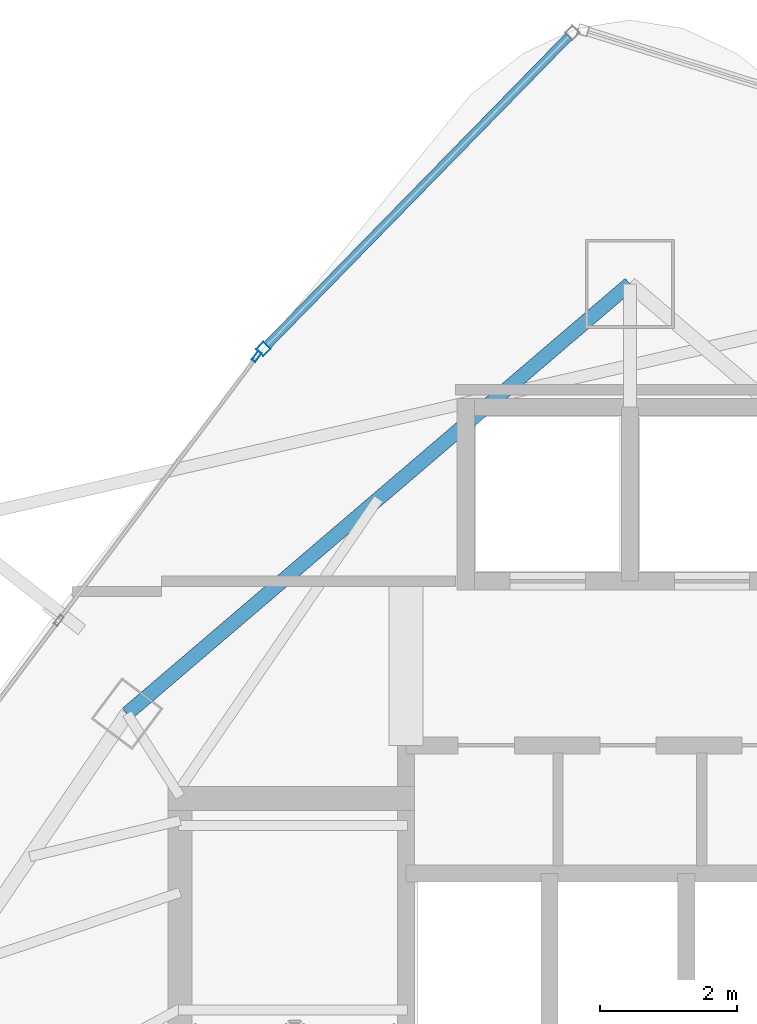
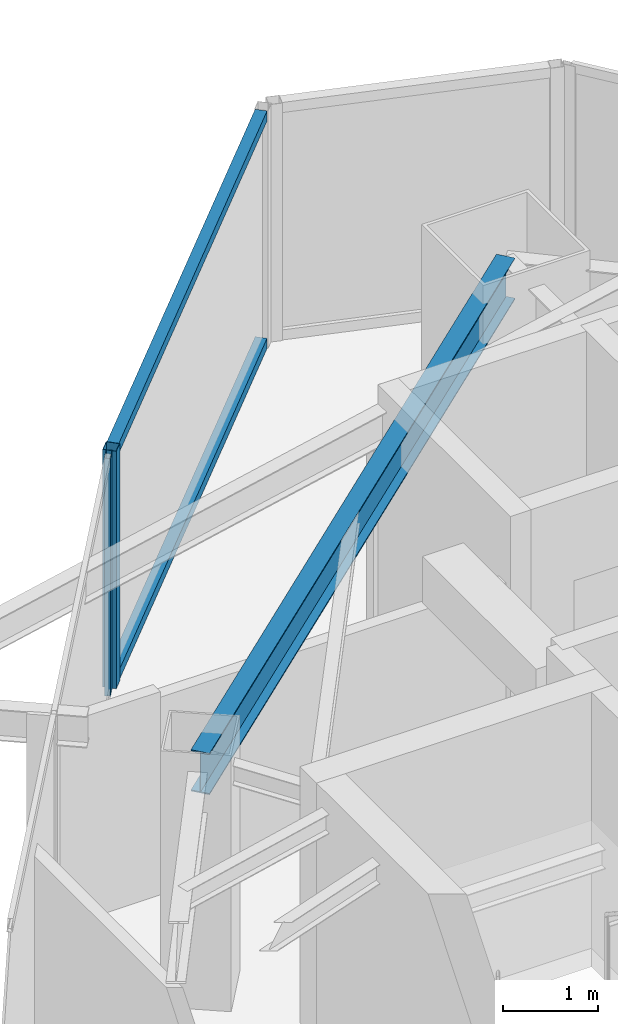
# One storey, part 21 of 30: 4 members, 1 beam, 2 elements without a shape of their own.
"""IFC4 building model written with IfcOpenShell, lengths in metres."""

from ifc_helpers import new_model, si_unit, direction, frame, origin, origin_2d, place, context, subcontext, project, spatial, hollow_rectangle, i_section, extrude, material, layer, layer_set, material_profile, profile_set, type_object, element, aggregate, save


model = new_model("IFC4")

# Units and contexts
model_context = context("Model", 3, precision=1e-05, world=origin(), true_north=direction((0.0, 1.0)))
body_context = subcontext(model_context, "Body", "Model", "MODEL_VIEW")
ifc_project = project(units=[si_unit("LENGTHUNIT", "METRE"), si_unit("AREAUNIT", "SQUARE_METRE"), si_unit("VOLUMEUNIT", "CUBIC_METRE"), si_unit("PLANEANGLEUNIT", "RADIAN"), si_unit("MASSUNIT", "GRAM", prefix="KILO")], contexts=[model_context])

# Site, building, storey
site_placement = place(None, origin())
site = spatial("IfcSite", under=ifc_project, at=site_placement, CompositionType="ELEMENT")
building_placement = place(site_placement, origin())
building = spatial("IfcBuilding", under=site, at=building_placement, Name="Orvanel Arch Residences", CompositionType="ELEMENT")
storey_placement = place(building_placement, frame((0.0, 0.0, 240.35009765625)))
storey = spatial("IfcBuildingStorey", under=building, at=storey_placement, Name="L68", CompositionType="ELEMENT", Elevation=240.35009765625)

# Curtain wall, member
ifc_material_1 = material(Name="Bronze-anodised aluminium AA6063-T6", Category="aluminium")
ifc_layer_1 = layer(ifc_material_1, 0.18994140625)
ifc_layer_set_1 = layer_set([ifc_layer_1], Name="Bronze-anodised aluminium AA6063-T6")
curtain_wall_type_1 = type_object("IfcCurtainWallType", Name="CW5-CRN-SYS", PredefinedType="NOTDEFINED", material=ifc_layer_set_1)
curtain_wall_1_placement = place(storey_placement, origin())
curtain_wall_1 = element("IfcCurtainWall", 1, at=curtain_wall_1_placement, inside=storey, type_object=curtain_wall_type_1, Name="L68 CW5-CRN-SYS Unitised Curtain Wall", PredefinedType="NOTDEFINED")
ifc_material_profile_1 = material_profile(ifc_material_1, hollow_rectangle(XDim=0.14990234375, YDim=0.14990234375, WallThickness=0.0048828125, at=origin_2d()), Name="ALU150x150x5")
ifc_profile_set_1 = profile_set([ifc_material_profile_1], Name="Bronze-anodised aluminium AA6063-T6")
member_type_1 = type_object("IfcMemberType", Name="MUL-150x150", PredefinedType="MULLION", material=ifc_profile_set_1)
member_1_placement = place(storey_placement, frame((27.641357421875, 40.445556640625, 0.0), z_axis=(0.0, 0.0, 1.0), x_axis=(0.71514941275, -0.69897161419, 0.0)))
member_1 = element("IfcMember", 2, at=member_1_placement, type_object=member_type_1, Name="CW-S5 mullion 2", PredefinedType="MULLION", context=body_context, shape_type="SweptSolid", body=[
    extrude(hollow_rectangle(XDim=0.14990234375, YDim=0.14990234375, WallThickness=0.0048828125, at=origin_2d()), origin(), (0.0, 0.0, 1.0), 3.059814453125),
])

ifc_layer_2 = layer(ifc_material_1, 0.175048828125)
ifc_layer_set_2 = layer_set([ifc_layer_2], Name="Bronze-anodised aluminium AA6063-T6")
curtain_wall_type_2 = type_object("IfcCurtainWallType", Name="CW4-HI-SYS", PredefinedType="NOTDEFINED", material=ifc_layer_set_2)
curtain_wall_2_placement = place(storey_placement, origin())
curtain_wall_2 = element("IfcCurtainWall", 3, at=curtain_wall_2_placement, inside=storey, type_object=curtain_wall_type_2, Name="L68 CW4-HI-SYS Unitised Curtain Wall", PredefinedType="NOTDEFINED")
ifc_material_profile_2 = material_profile(ifc_material_1, hollow_rectangle(XDim=0.06494140625, YDim=0.159912109375, WallThickness=0.00390625, at=origin_2d()), Name="ALU160x65x4")
ifc_profile_set_2 = profile_set([ifc_material_profile_2], Name="Bronze-anodised aluminium AA6063-T6")
member_type_2 = type_object("IfcMemberType", Name="MUL-160x65", PredefinedType="MULLION", material=ifc_profile_set_2)
member_2_placement = place(storey_placement, frame((27.54345703125, 40.3359375, 0.0), z_axis=(0.0, 0.0, 1.0), x_axis=(0.800074132032, -0.599901144567, 0.0)))
member_2 = element("IfcMember", 4, at=member_2_placement, type_object=member_type_2, Name="CW-S4 mullion 1", PredefinedType="MULLION", context=body_context, shape_type="SweptSolid", body=[
    extrude(hollow_rectangle(XDim=0.06494140625, YDim=0.159912109375, WallThickness=0.00390625, at=origin_2d()), origin(), (0.0, 0.0, 1.0), 3.059814453125),
])
aggregate(curtain_wall_2, [member_2])

# Beam
ifc_material_2 = material(Name="Structural steel AS/NZS 3679.1 Grade 300 (300 MPa)", Category="steel")
ifc_material_profile_3 = material_profile(ifc_material_2, i_section(OverallWidth=0.208984375, OverallDepth=0.532958984375, WebThickness=0.01025390625, FlangeThickness=0.015625, at=origin_2d()), Name="530UB92.4")
ifc_profile_set_3 = profile_set([ifc_material_profile_3], Name="Structural steel AS/NZS 3679.1 Grade 300 (300 MPa)")
beam_type = type_object("IfcBeamType", Name="SP-530UB", PredefinedType="SPANDREL", material=ifc_profile_set_3)
beam_placement = place(storey_placement, frame((33.0, 41.39794921875, 2.79296875), z_axis=(-0.760116518398, -0.649786794617, 0.0), x_axis=(0.649786794617, -0.760116518398, 0.0)))
element("IfcBeam", 5, at=beam_placement, inside=storey, type_object=beam_type, Name="L68 Perimeter Spandrel Beam 10", PredefinedType="SPANDREL", context=body_context, shape_type="SweptSolid", body=[
    extrude(i_section(OverallWidth=0.208984375, OverallDepth=0.532958984375, WebThickness=0.01025390625, FlangeThickness=0.015625, at=origin_2d()), origin(), (0.0, 0.0, 1.0), 9.67236328125),
])

# Member
ifc_material_profile_4 = material_profile(ifc_material_1, hollow_rectangle(XDim=0.1298828125, YDim=0.1298828125, WallThickness=0.00439453125, at=origin_2d()), Name="ALU130x130x4.5")
ifc_profile_set_4 = profile_set([ifc_material_profile_4], Name="Bronze-anodised aluminium AA6063-T6")
member_type_3 = type_object("IfcMemberType", Name="TRN-130x130", PredefinedType="USERDEFINED", material=ifc_profile_set_4)
member_3_placement = place(storey_placement, frame((32.107177734375, 45.0146484375, 0.06494140625), z_axis=(-0.698979244305, -0.71514195516, 0.0), x_axis=(0.71514195516, -0.698979244305, 0.0)))
member_3 = element("IfcMember", 6, at=member_3_placement, type_object=member_type_3, Name="CW-S5 transom 1.1", ObjectType="TRANSOM", PredefinedType="USERDEFINED", context=body_context, shape_type="SweptSolid", body=[
    extrude(hollow_rectangle(XDim=0.1298828125, YDim=0.1298828125, WallThickness=0.00439453125, at=origin_2d()), origin(), (0.0, 0.0, 1.0), 6.31396484375),
])

member_4_placement = place(storey_placement, frame((32.107177734375, 45.0146484375, 2.994873046875), z_axis=(-0.698979244305, -0.71514195516, 0.0), x_axis=(0.71514195516, -0.698979244305, 0.0)))
member_4 = element("IfcMember", 7, at=member_4_placement, type_object=member_type_3, Name="CW-S5 transom 1.2", ObjectType="TRANSOM", PredefinedType="USERDEFINED", context=body_context, shape_type="SweptSolid", body=[
    extrude(hollow_rectangle(XDim=0.1298828125, YDim=0.1298828125, WallThickness=0.00439453125, at=origin_2d()), origin(), (0.0, 0.0, 1.0), 6.31396484375),
])

aggregate(curtain_wall_1, [member_1, member_3, member_4])

save(model, "model.ifc")
